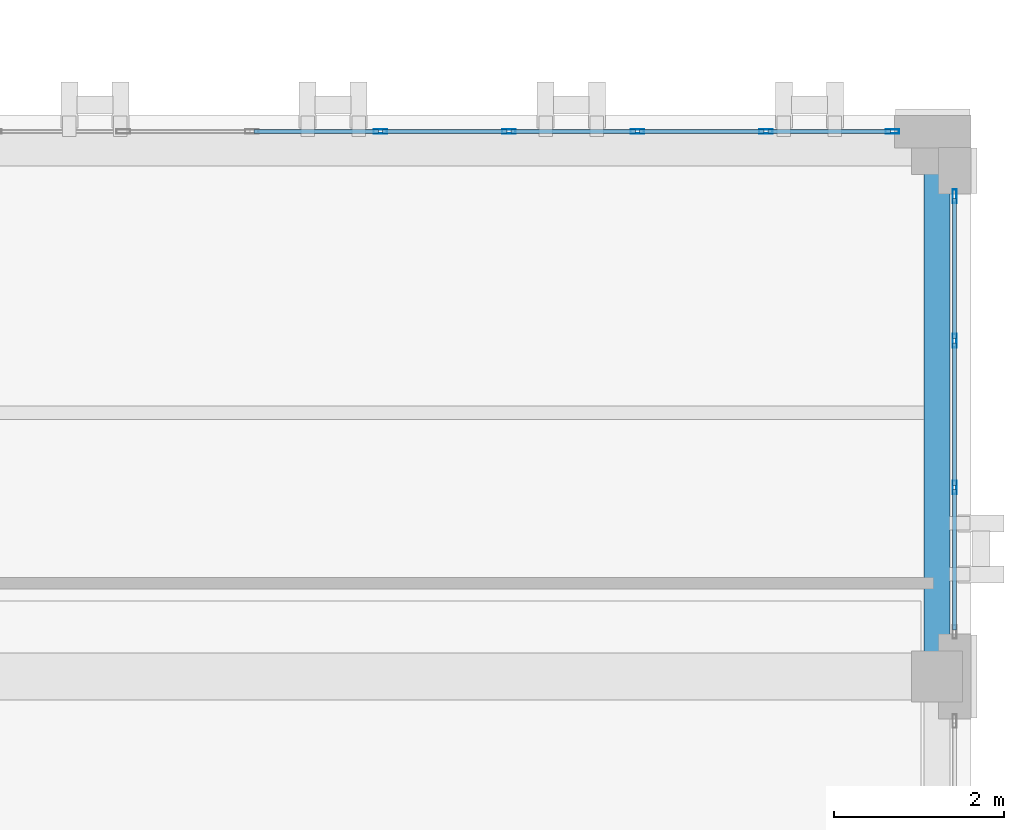
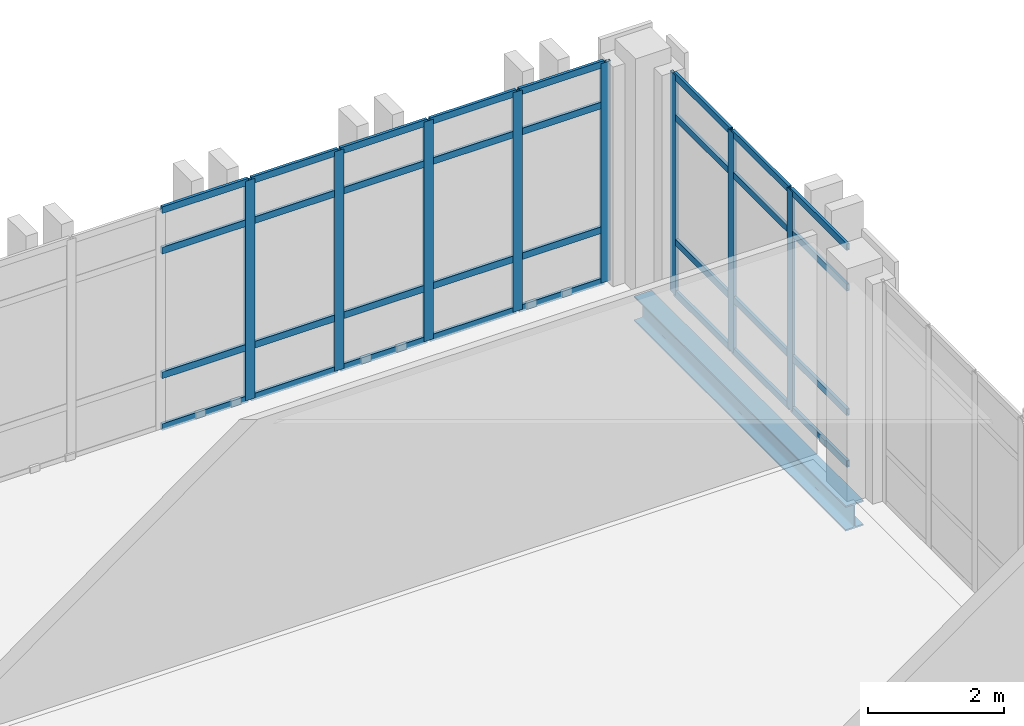
# One storey, part 57 of 90: 40 members, 1 beam, 2 elements without a shape of their own.
"""IFC4 building model written with IfcOpenShell, lengths in metres."""

from ifc_helpers import new_model, si_unit, direction, frame, origin, origin_2d, place, context, subcontext, project, spatial, hollow_rectangle, i_section, extrude, material, layer, layer_set, material_profile, profile_set, type_object, element, aggregate, save


model = new_model("IFC4")

# Units and contexts
model_context = context("Model", 3, precision=1e-05, world=origin(), true_north=direction((0.0, 1.0)))
body_context = subcontext(model_context, "Body", "Model", "MODEL_VIEW")
ifc_project = project(units=[si_unit("LENGTHUNIT", "METRE"), si_unit("AREAUNIT", "SQUARE_METRE"), si_unit("VOLUMEUNIT", "CUBIC_METRE"), si_unit("PLANEANGLEUNIT", "RADIAN"), si_unit("MASSUNIT", "GRAM", prefix="KILO")], contexts=[model_context])

# Site, building, storey
site_placement = place(None, origin())
site = spatial("IfcSite", under=ifc_project, at=site_placement, CompositionType="ELEMENT")
building_placement = place(site_placement, origin())
building = spatial("IfcBuilding", under=site, at=building_placement, Name="Qalavern Law Courts", CompositionType="ELEMENT")
storey_placement = place(building_placement, frame((0.0, 0.0, 22.800048828125)))
storey = spatial("IfcBuildingStorey", under=building, at=storey_placement, Name="L05", CompositionType="ELEMENT", Elevation=22.800048828125)

# Curtain wall, members
ifc_material_1 = material(Name="Anodised aluminium and insulated glazing", Category="aluminium")
ifc_layer = layer(ifc_material_1, 0.159912109375)
ifc_layer_set = layer_set([ifc_layer], Name="Anodised aluminium and insulated glazing")
curtain_wall_type = type_object("IfcCurtainWallType", Name="ENV-CW-CHAMB", PredefinedType="USERDEFINED", material=ifc_layer_set)
curtain_wall_1_placement = place(storey_placement, origin())
curtain_wall_1 = element("IfcCurtainWall", 1, at=curtain_wall_1_placement, inside=storey, type_object=curtain_wall_type, Name="V4 unitised curtain wall L05 east 5", ObjectType="UNITISED CURTAIN WALL", PredefinedType="USERDEFINED")
ifc_material_2 = material(Name="Anodised aluminium", Category="aluminium")
ifc_material_profile_1 = material_profile(ifc_material_2, hollow_rectangle(XDim=0.048095703125, YDim=0.159912109375, WallThickness=0.00390625, at=origin_2d()), Name="ALU MULLION 48x160")
ifc_profile_set_1 = profile_set([ifc_material_profile_1], Name="Anodised aluminium")
member_type_1 = type_object("IfcMemberType", Name="ENV-CWM-48x160", PredefinedType="MULLION", material=ifc_profile_set_1)
member_1_placement = place(storey_placement, frame((106.607421875, 81.42333984375, 0.0), z_axis=(0.0, 0.0, 1.0), x_axis=(-1.0, 0.0, 0.0)))
member_1 = element("IfcMember", 2, at=member_1_placement, type_object=member_type_1, Name="CW-04 mullion 2", PredefinedType="MULLION", context=body_context, shape_type="SweptSolid", body=[
    extrude(hollow_rectangle(XDim=0.048095703125, YDim=0.159912109375, WallThickness=0.00390625, at=origin_2d()), origin(), (0.0, 0.0, 1.0), 3.929931640625),
])
member_2_placement = place(storey_placement, frame((106.607421875, 83.146728515625, 0.0), z_axis=(0.0, 0.0, 1.0), x_axis=(-1.0, 0.0, 0.0)))
member_2 = element("IfcMember", 3, at=member_2_placement, type_object=member_type_1, Name="CW-04 mullion 3", PredefinedType="MULLION", context=body_context, shape_type="SweptSolid", body=[
    extrude(hollow_rectangle(XDim=0.048095703125, YDim=0.159912109375, WallThickness=0.00390625, at=origin_2d()), origin(), (0.0, 0.0, 1.0), 3.929931640625),
])
member_3_placement = place(storey_placement, frame((106.607421875, 84.845947265625, 0.0), z_axis=(0.0, 0.0, 1.0), x_axis=(-1.0, 0.0, 0.0)))
member_3 = element("IfcMember", 4, at=member_3_placement, type_object=member_type_1, Name="CW-04 mullion 4", PredefinedType="MULLION", context=body_context, shape_type="SweptSolid", body=[
    extrude(hollow_rectangle(XDim=0.048095703125, YDim=0.159912109375, WallThickness=0.00390625, at=origin_2d()), origin(), (0.0, 0.0, 1.0), 3.929931640625),
])

curtain_wall_2_placement = place(storey_placement, origin())
curtain_wall_2 = element("IfcCurtainWall", 5, at=curtain_wall_2_placement, inside=storey, type_object=curtain_wall_type, Name="V4 unitised curtain wall L05 north 1", ObjectType="UNITISED CURTAIN WALL", PredefinedType="USERDEFINED")
member_4_placement = place(storey_placement, frame((105.8759765625, 85.607421875, 0.0), z_axis=(0.0, 0.0, 1.0), x_axis=(0.0, -1.0, 0.0)))
member_4 = element("IfcMember", 6, at=member_4_placement, type_object=member_type_1, Name="CW-04 mullion 1", PredefinedType="MULLION", context=body_context, shape_type="SweptSolid", body=[
    extrude(hollow_rectangle(XDim=0.048095703125, YDim=0.159912109375, WallThickness=0.00390625, at=origin_2d()), origin(), (0.0, 0.0, 1.0), 3.929931640625),
])
member_5_placement = place(storey_placement, frame((104.388916015625, 85.607421875, 0.0), z_axis=(0.0, 0.0, 1.0), x_axis=(0.0, -1.0, 0.0)))
member_5 = element("IfcMember", 7, at=member_5_placement, type_object=member_type_1, Name="CW-04 mullion 2", PredefinedType="MULLION", context=body_context, shape_type="SweptSolid", body=[
    extrude(hollow_rectangle(XDim=0.048095703125, YDim=0.159912109375, WallThickness=0.00390625, at=origin_2d()), origin(), (0.0, 0.0, 1.0), 3.929931640625),
])
member_6_placement = place(storey_placement, frame((102.877685546875, 85.607421875, 0.0), z_axis=(0.0, 0.0, 1.0), x_axis=(0.0, -1.0, 0.0)))
member_6 = element("IfcMember", 8, at=member_6_placement, type_object=member_type_1, Name="CW-04 mullion 3", PredefinedType="MULLION", context=body_context, shape_type="SweptSolid", body=[
    extrude(hollow_rectangle(XDim=0.048095703125, YDim=0.159912109375, WallThickness=0.00390625, at=origin_2d()), origin(), (0.0, 0.0, 1.0), 3.929931640625),
])
member_7_placement = place(storey_placement, frame((101.36669921875, 85.607421875, 0.0), z_axis=(0.0, 0.0, 1.0), x_axis=(0.0, -1.0, 0.0)))
member_7 = element("IfcMember", 9, at=member_7_placement, type_object=member_type_1, Name="CW-04 mullion 4", PredefinedType="MULLION", context=body_context, shape_type="SweptSolid", body=[
    extrude(hollow_rectangle(XDim=0.048095703125, YDim=0.159912109375, WallThickness=0.00390625, at=origin_2d()), origin(), (0.0, 0.0, 1.0), 3.929931640625),
])
member_8_placement = place(storey_placement, frame((99.85546875, 85.607421875, 0.0), z_axis=(0.0, 0.0, 1.0), x_axis=(0.0, -1.0, 0.0)))
member_8 = element("IfcMember", 10, at=member_8_placement, type_object=member_type_1, Name="CW-04 mullion 5", PredefinedType="MULLION", context=body_context, shape_type="SweptSolid", body=[
    extrude(hollow_rectangle(XDim=0.048095703125, YDim=0.159912109375, WallThickness=0.00390625, at=origin_2d()), origin(), (0.0, 0.0, 1.0), 3.929931640625),
])

# Member
ifc_material_profile_2 = material_profile(ifc_material_2, hollow_rectangle(XDim=0.048095703125, YDim=0.1201171875, WallThickness=0.00390625, at=origin_2d()), Name="ALU TRANSOM 48x120")
ifc_profile_set_2 = profile_set([ifc_material_profile_2], Name="Anodised aluminium")
member_type_2 = type_object("IfcMemberType", Name="ENV-CWT-48x120", PredefinedType="USERDEFINED", material=ifc_profile_set_2)
member_9_placement = place(storey_placement, frame((106.607421875, 79.748046875, 0.02392578125), z_axis=(0.0, 1.0, 0.0), x_axis=(-1.0, 0.0, 0.0)))
member_9 = element("IfcMember", 11, at=member_9_placement, type_object=member_type_2, Name="CW-04 transom 1.1", ObjectType="TRANSOM", PredefinedType="USERDEFINED", context=body_context, shape_type="SweptSolid", body=[
    extrude(hollow_rectangle(XDim=0.048095703125, YDim=0.1201171875, WallThickness=0.00390625, at=origin_2d()), origin(), (0.0, 0.0, 1.0), 1.6513671875),
])

member_10_placement = place(storey_placement, frame((106.607421875, 79.748046875, 0.949951171875), z_axis=(0.0, 1.0, 0.0), x_axis=(-1.0, 0.0, 0.0)))
member_10 = element("IfcMember", 12, at=member_10_placement, type_object=member_type_2, Name="CW-04 transom 1.2", ObjectType="TRANSOM", PredefinedType="USERDEFINED", context=body_context, shape_type="SweptSolid", body=[
    extrude(hollow_rectangle(XDim=0.048095703125, YDim=0.1201171875, WallThickness=0.00390625, at=origin_2d()), origin(), (0.0, 0.0, 1.0), 1.6513671875),
])

member_11_placement = place(storey_placement, frame((106.607421875, 79.748046875, 3.179931640625), z_axis=(0.0, 1.0, 0.0), x_axis=(-1.0, 0.0, 0.0)))
member_11 = element("IfcMember", 13, at=member_11_placement, type_object=member_type_2, Name="CW-04 transom 1.3", ObjectType="TRANSOM", PredefinedType="USERDEFINED", context=body_context, shape_type="SweptSolid", body=[
    extrude(hollow_rectangle(XDim=0.048095703125, YDim=0.1201171875, WallThickness=0.00390625, at=origin_2d()), origin(), (0.0, 0.0, 1.0), 1.6513671875),
])

member_12_placement = place(storey_placement, frame((106.607421875, 79.748046875, 3.906005859375), z_axis=(0.0, 1.0, 0.0), x_axis=(-1.0, 0.0, 0.0)))
member_12 = element("IfcMember", 14, at=member_12_placement, type_object=member_type_2, Name="CW-04 transom 1.4", ObjectType="TRANSOM", PredefinedType="USERDEFINED", context=body_context, shape_type="SweptSolid", body=[
    extrude(hollow_rectangle(XDim=0.048095703125, YDim=0.1201171875, WallThickness=0.00390625, at=origin_2d()), origin(), (0.0, 0.0, 1.0), 1.6513671875),
])

member_13_placement = place(storey_placement, frame((106.607421875, 81.447265625, 0.02392578125), z_axis=(0.0, 1.0, 0.0), x_axis=(-1.0, 0.0, 0.0)))
member_13 = element("IfcMember", 15, at=member_13_placement, type_object=member_type_2, Name="CW-04 transom 2.1", ObjectType="TRANSOM", PredefinedType="USERDEFINED", context=body_context, shape_type="SweptSolid", body=[
    extrude(hollow_rectangle(XDim=0.048095703125, YDim=0.1201171875, WallThickness=0.00390625, at=origin_2d()), origin(), (0.0, 0.0, 1.0), 1.67529296875),
])

member_14_placement = place(storey_placement, frame((106.607421875, 81.447265625, 0.949951171875), z_axis=(0.0, 1.0, 0.0), x_axis=(-1.0, 0.0, 0.0)))
member_14 = element("IfcMember", 16, at=member_14_placement, type_object=member_type_2, Name="CW-04 transom 2.2", ObjectType="TRANSOM", PredefinedType="USERDEFINED", context=body_context, shape_type="SweptSolid", body=[
    extrude(hollow_rectangle(XDim=0.048095703125, YDim=0.1201171875, WallThickness=0.00390625, at=origin_2d()), origin(), (0.0, 0.0, 1.0), 1.67529296875),
])

member_15_placement = place(storey_placement, frame((106.607421875, 81.447265625, 3.179931640625), z_axis=(0.0, 1.0, 0.0), x_axis=(-1.0, 0.0, 0.0)))
member_15 = element("IfcMember", 17, at=member_15_placement, type_object=member_type_2, Name="CW-04 transom 2.3", ObjectType="TRANSOM", PredefinedType="USERDEFINED", context=body_context, shape_type="SweptSolid", body=[
    extrude(hollow_rectangle(XDim=0.048095703125, YDim=0.1201171875, WallThickness=0.00390625, at=origin_2d()), origin(), (0.0, 0.0, 1.0), 1.67529296875),
])

member_16_placement = place(storey_placement, frame((106.607421875, 81.447265625, 3.906005859375), z_axis=(0.0, 1.0, 0.0), x_axis=(-1.0, 0.0, 0.0)))
member_16 = element("IfcMember", 18, at=member_16_placement, type_object=member_type_2, Name="CW-04 transom 2.4", ObjectType="TRANSOM", PredefinedType="USERDEFINED", context=body_context, shape_type="SweptSolid", body=[
    extrude(hollow_rectangle(XDim=0.048095703125, YDim=0.1201171875, WallThickness=0.00390625, at=origin_2d()), origin(), (0.0, 0.0, 1.0), 1.67529296875),
])

member_17_placement = place(storey_placement, frame((106.607421875, 83.170654296875, 0.02392578125), z_axis=(0.0, 1.0, 0.0), x_axis=(-1.0, 0.0, 0.0)))
member_17 = element("IfcMember", 19, at=member_17_placement, type_object=member_type_2, Name="CW-04 transom 3.1", ObjectType="TRANSOM", PredefinedType="USERDEFINED", context=body_context, shape_type="SweptSolid", body=[
    extrude(hollow_rectangle(XDim=0.048095703125, YDim=0.1201171875, WallThickness=0.00390625, at=origin_2d()), origin(), (0.0, 0.0, 1.0), 1.6513671875),
])

member_18_placement = place(storey_placement, frame((106.607421875, 83.170654296875, 0.949951171875), z_axis=(0.0, 1.0, 0.0), x_axis=(-1.0, 0.0, 0.0)))
member_18 = element("IfcMember", 20, at=member_18_placement, type_object=member_type_2, Name="CW-04 transom 3.2", ObjectType="TRANSOM", PredefinedType="USERDEFINED", context=body_context, shape_type="SweptSolid", body=[
    extrude(hollow_rectangle(XDim=0.048095703125, YDim=0.1201171875, WallThickness=0.00390625, at=origin_2d()), origin(), (0.0, 0.0, 1.0), 1.6513671875),
])

member_19_placement = place(storey_placement, frame((106.607421875, 83.170654296875, 3.179931640625), z_axis=(0.0, 1.0, 0.0), x_axis=(-1.0, 0.0, 0.0)))
member_19 = element("IfcMember", 21, at=member_19_placement, type_object=member_type_2, Name="CW-04 transom 3.3", ObjectType="TRANSOM", PredefinedType="USERDEFINED", context=body_context, shape_type="SweptSolid", body=[
    extrude(hollow_rectangle(XDim=0.048095703125, YDim=0.1201171875, WallThickness=0.00390625, at=origin_2d()), origin(), (0.0, 0.0, 1.0), 1.6513671875),
])

member_20_placement = place(storey_placement, frame((106.607421875, 83.170654296875, 3.906005859375), z_axis=(0.0, 1.0, 0.0), x_axis=(-1.0, 0.0, 0.0)))
member_20 = element("IfcMember", 22, at=member_20_placement, type_object=member_type_2, Name="CW-04 transom 3.4", ObjectType="TRANSOM", PredefinedType="USERDEFINED", context=body_context, shape_type="SweptSolid", body=[
    extrude(hollow_rectangle(XDim=0.048095703125, YDim=0.1201171875, WallThickness=0.00390625, at=origin_2d()), origin(), (0.0, 0.0, 1.0), 1.6513671875),
])

aggregate(curtain_wall_1, [member_1, member_2, member_3, member_9, member_10, member_11, member_12, member_13, member_14, member_15, member_16, member_17, member_18, member_19, member_20])

member_21_placement = place(storey_placement, frame((105.85205078125, 85.607421875, 0.02392578125), z_axis=(-1.0, 0.0, 0.0), x_axis=(0.0, -1.0, 0.0)))
member_21 = element("IfcMember", 23, at=member_21_placement, type_object=member_type_2, Name="CW-04 transom 1.1", ObjectType="TRANSOM", PredefinedType="USERDEFINED", context=body_context, shape_type="SweptSolid", body=[
    extrude(hollow_rectangle(XDim=0.048095703125, YDim=0.1201171875, WallThickness=0.00390625, at=origin_2d()), origin(), (0.0, 0.0, 1.0), 1.439208984375),
])

member_22_placement = place(storey_placement, frame((105.85205078125, 85.607421875, 0.949951171875), z_axis=(-1.0, 0.0, 0.0), x_axis=(0.0, -1.0, 0.0)))
member_22 = element("IfcMember", 24, at=member_22_placement, type_object=member_type_2, Name="CW-04 transom 1.2", ObjectType="TRANSOM", PredefinedType="USERDEFINED", context=body_context, shape_type="SweptSolid", body=[
    extrude(hollow_rectangle(XDim=0.048095703125, YDim=0.1201171875, WallThickness=0.00390625, at=origin_2d()), origin(), (0.0, 0.0, 1.0), 1.439208984375),
])

member_23_placement = place(storey_placement, frame((105.85205078125, 85.607421875, 3.179931640625), z_axis=(-1.0, 0.0, 0.0), x_axis=(0.0, -1.0, 0.0)))
member_23 = element("IfcMember", 25, at=member_23_placement, type_object=member_type_2, Name="CW-04 transom 1.3", ObjectType="TRANSOM", PredefinedType="USERDEFINED", context=body_context, shape_type="SweptSolid", body=[
    extrude(hollow_rectangle(XDim=0.048095703125, YDim=0.1201171875, WallThickness=0.00390625, at=origin_2d()), origin(), (0.0, 0.0, 1.0), 1.439208984375),
])

member_24_placement = place(storey_placement, frame((105.85205078125, 85.607421875, 3.906005859375), z_axis=(-1.0, 0.0, 0.0), x_axis=(0.0, -1.0, 0.0)))
member_24 = element("IfcMember", 26, at=member_24_placement, type_object=member_type_2, Name="CW-04 transom 1.4", ObjectType="TRANSOM", PredefinedType="USERDEFINED", context=body_context, shape_type="SweptSolid", body=[
    extrude(hollow_rectangle(XDim=0.048095703125, YDim=0.1201171875, WallThickness=0.00390625, at=origin_2d()), origin(), (0.0, 0.0, 1.0), 1.439208984375),
])

member_25_placement = place(storey_placement, frame((104.364990234375, 85.607421875, 0.02392578125), z_axis=(-1.0, 0.0, 0.0), x_axis=(0.0, -1.0, 0.0)))
member_25 = element("IfcMember", 27, at=member_25_placement, type_object=member_type_2, Name="CW-04 transom 2.1", ObjectType="TRANSOM", PredefinedType="USERDEFINED", context=body_context, shape_type="SweptSolid", body=[
    extrude(hollow_rectangle(XDim=0.048095703125, YDim=0.1201171875, WallThickness=0.00390625, at=origin_2d()), origin(), (0.0, 0.0, 1.0), 1.463134765625),
])

member_26_placement = place(storey_placement, frame((104.364990234375, 85.607421875, 0.949951171875), z_axis=(-1.0, 0.0, 0.0), x_axis=(0.0, -1.0, 0.0)))
member_26 = element("IfcMember", 28, at=member_26_placement, type_object=member_type_2, Name="CW-04 transom 2.2", ObjectType="TRANSOM", PredefinedType="USERDEFINED", context=body_context, shape_type="SweptSolid", body=[
    extrude(hollow_rectangle(XDim=0.048095703125, YDim=0.1201171875, WallThickness=0.00390625, at=origin_2d()), origin(), (0.0, 0.0, 1.0), 1.463134765625),
])

member_27_placement = place(storey_placement, frame((104.364990234375, 85.607421875, 3.179931640625), z_axis=(-1.0, 0.0, 0.0), x_axis=(0.0, -1.0, 0.0)))
member_27 = element("IfcMember", 29, at=member_27_placement, type_object=member_type_2, Name="CW-04 transom 2.3", ObjectType="TRANSOM", PredefinedType="USERDEFINED", context=body_context, shape_type="SweptSolid", body=[
    extrude(hollow_rectangle(XDim=0.048095703125, YDim=0.1201171875, WallThickness=0.00390625, at=origin_2d()), origin(), (0.0, 0.0, 1.0), 1.463134765625),
])

member_28_placement = place(storey_placement, frame((104.364990234375, 85.607421875, 3.906005859375), z_axis=(-1.0, 0.0, 0.0), x_axis=(0.0, -1.0, 0.0)))
member_28 = element("IfcMember", 30, at=member_28_placement, type_object=member_type_2, Name="CW-04 transom 2.4", ObjectType="TRANSOM", PredefinedType="USERDEFINED", context=body_context, shape_type="SweptSolid", body=[
    extrude(hollow_rectangle(XDim=0.048095703125, YDim=0.1201171875, WallThickness=0.00390625, at=origin_2d()), origin(), (0.0, 0.0, 1.0), 1.463134765625),
])

member_29_placement = place(storey_placement, frame((102.853759765625, 85.607421875, 0.02392578125), z_axis=(-1.0, 0.0, 0.0), x_axis=(0.0, -1.0, 0.0)))
member_29 = element("IfcMember", 31, at=member_29_placement, type_object=member_type_2, Name="CW-04 transom 3.1", ObjectType="TRANSOM", PredefinedType="USERDEFINED", context=body_context, shape_type="SweptSolid", body=[
    extrude(hollow_rectangle(XDim=0.048095703125, YDim=0.1201171875, WallThickness=0.00390625, at=origin_2d()), origin(), (0.0, 0.0, 1.0), 1.463134765625),
])

member_30_placement = place(storey_placement, frame((102.853759765625, 85.607421875, 0.949951171875), z_axis=(-1.0, 0.0, 0.0), x_axis=(0.0, -1.0, 0.0)))
member_30 = element("IfcMember", 32, at=member_30_placement, type_object=member_type_2, Name="CW-04 transom 3.2", ObjectType="TRANSOM", PredefinedType="USERDEFINED", context=body_context, shape_type="SweptSolid", body=[
    extrude(hollow_rectangle(XDim=0.048095703125, YDim=0.1201171875, WallThickness=0.00390625, at=origin_2d()), origin(), (0.0, 0.0, 1.0), 1.463134765625),
])

member_31_placement = place(storey_placement, frame((102.853759765625, 85.607421875, 3.179931640625), z_axis=(-1.0, 0.0, 0.0), x_axis=(0.0, -1.0, 0.0)))
member_31 = element("IfcMember", 33, at=member_31_placement, type_object=member_type_2, Name="CW-04 transom 3.3", ObjectType="TRANSOM", PredefinedType="USERDEFINED", context=body_context, shape_type="SweptSolid", body=[
    extrude(hollow_rectangle(XDim=0.048095703125, YDim=0.1201171875, WallThickness=0.00390625, at=origin_2d()), origin(), (0.0, 0.0, 1.0), 1.463134765625),
])

member_32_placement = place(storey_placement, frame((102.853759765625, 85.607421875, 3.906005859375), z_axis=(-1.0, 0.0, 0.0), x_axis=(0.0, -1.0, 0.0)))
member_32 = element("IfcMember", 34, at=member_32_placement, type_object=member_type_2, Name="CW-04 transom 3.4", ObjectType="TRANSOM", PredefinedType="USERDEFINED", context=body_context, shape_type="SweptSolid", body=[
    extrude(hollow_rectangle(XDim=0.048095703125, YDim=0.1201171875, WallThickness=0.00390625, at=origin_2d()), origin(), (0.0, 0.0, 1.0), 1.463134765625),
])

member_33_placement = place(storey_placement, frame((101.3427734375, 85.607421875, 0.02392578125), z_axis=(-1.0, 0.0, 0.0), x_axis=(0.0, -1.0, 0.0)))
member_33 = element("IfcMember", 35, at=member_33_placement, type_object=member_type_2, Name="CW-04 transom 4.1", ObjectType="TRANSOM", PredefinedType="USERDEFINED", context=body_context, shape_type="SweptSolid", body=[
    extrude(hollow_rectangle(XDim=0.048095703125, YDim=0.1201171875, WallThickness=0.00390625, at=origin_2d()), origin(), (0.0, 0.0, 1.0), 1.463134765625),
])

member_34_placement = place(storey_placement, frame((101.3427734375, 85.607421875, 0.949951171875), z_axis=(-1.0, 0.0, 0.0), x_axis=(0.0, -1.0, 0.0)))
member_34 = element("IfcMember", 36, at=member_34_placement, type_object=member_type_2, Name="CW-04 transom 4.2", ObjectType="TRANSOM", PredefinedType="USERDEFINED", context=body_context, shape_type="SweptSolid", body=[
    extrude(hollow_rectangle(XDim=0.048095703125, YDim=0.1201171875, WallThickness=0.00390625, at=origin_2d()), origin(), (0.0, 0.0, 1.0), 1.463134765625),
])

member_35_placement = place(storey_placement, frame((101.3427734375, 85.607421875, 3.179931640625), z_axis=(-1.0, 0.0, 0.0), x_axis=(0.0, -1.0, 0.0)))
member_35 = element("IfcMember", 37, at=member_35_placement, type_object=member_type_2, Name="CW-04 transom 4.3", ObjectType="TRANSOM", PredefinedType="USERDEFINED", context=body_context, shape_type="SweptSolid", body=[
    extrude(hollow_rectangle(XDim=0.048095703125, YDim=0.1201171875, WallThickness=0.00390625, at=origin_2d()), origin(), (0.0, 0.0, 1.0), 1.463134765625),
])

member_36_placement = place(storey_placement, frame((101.3427734375, 85.607421875, 3.906005859375), z_axis=(-1.0, 0.0, 0.0), x_axis=(0.0, -1.0, 0.0)))
member_36 = element("IfcMember", 38, at=member_36_placement, type_object=member_type_2, Name="CW-04 transom 4.4", ObjectType="TRANSOM", PredefinedType="USERDEFINED", context=body_context, shape_type="SweptSolid", body=[
    extrude(hollow_rectangle(XDim=0.048095703125, YDim=0.1201171875, WallThickness=0.00390625, at=origin_2d()), origin(), (0.0, 0.0, 1.0), 1.463134765625),
])

member_37_placement = place(storey_placement, frame((99.83154296875, 85.607421875, 0.02392578125), z_axis=(-1.0, 0.0, 0.0), x_axis=(0.0, -1.0, 0.0)))
member_37 = element("IfcMember", 39, at=member_37_placement, type_object=member_type_2, Name="CW-04 transom 5.1", ObjectType="TRANSOM", PredefinedType="USERDEFINED", context=body_context, shape_type="SweptSolid", body=[
    extrude(hollow_rectangle(XDim=0.048095703125, YDim=0.1201171875, WallThickness=0.00390625, at=origin_2d()), origin(), (0.0, 0.0, 1.0), 1.463134765625),
])

member_38_placement = place(storey_placement, frame((99.83154296875, 85.607421875, 0.949951171875), z_axis=(-1.0, 0.0, 0.0), x_axis=(0.0, -1.0, 0.0)))
member_38 = element("IfcMember", 40, at=member_38_placement, type_object=member_type_2, Name="CW-04 transom 5.2", ObjectType="TRANSOM", PredefinedType="USERDEFINED", context=body_context, shape_type="SweptSolid", body=[
    extrude(hollow_rectangle(XDim=0.048095703125, YDim=0.1201171875, WallThickness=0.00390625, at=origin_2d()), origin(), (0.0, 0.0, 1.0), 1.463134765625),
])

member_39_placement = place(storey_placement, frame((99.83154296875, 85.607421875, 3.179931640625), z_axis=(-1.0, 0.0, 0.0), x_axis=(0.0, -1.0, 0.0)))
member_39 = element("IfcMember", 41, at=member_39_placement, type_object=member_type_2, Name="CW-04 transom 5.3", ObjectType="TRANSOM", PredefinedType="USERDEFINED", context=body_context, shape_type="SweptSolid", body=[
    extrude(hollow_rectangle(XDim=0.048095703125, YDim=0.1201171875, WallThickness=0.00390625, at=origin_2d()), origin(), (0.0, 0.0, 1.0), 1.463134765625),
])

member_40_placement = place(storey_placement, frame((99.83154296875, 85.607421875, 3.906005859375), z_axis=(-1.0, 0.0, 0.0), x_axis=(0.0, -1.0, 0.0)))
member_40 = element("IfcMember", 42, at=member_40_placement, type_object=member_type_2, Name="CW-04 transom 5.4", ObjectType="TRANSOM", PredefinedType="USERDEFINED", context=body_context, shape_type="SweptSolid", body=[
    extrude(hollow_rectangle(XDim=0.048095703125, YDim=0.1201171875, WallThickness=0.00390625, at=origin_2d()), origin(), (0.0, 0.0, 1.0), 1.463134765625),
])

aggregate(curtain_wall_2, [member_4, member_5, member_6, member_7, member_8, member_21, member_22, member_23, member_24, member_25, member_26, member_27, member_28, member_29, member_30, member_31, member_32, member_33, member_34, member_35, member_36, member_37, member_38, member_39, member_40])

# Beam
ifc_material_3 = material(Name="Steel S355", Category="steel")
ifc_material_profile_3 = material_profile(ifc_material_3, i_section(OverallWidth=0.300048828125, OverallDepth=0.449951171875, WebThickness=0.013916015625, FlangeThickness=0.02587890625, FilletRadius=0.027099609375, at=origin_2d()), Name="HEB 450")
ifc_profile_set_3 = profile_set([ifc_material_profile_3], Name="Steel S355")
beam_type = type_object("IfcBeamType", Name="STR-SP-HEB450", PredefinedType="SPANDREL", material=ifc_profile_set_3)
beam_placement = place(storey_placement, frame((106.39990234375, 79.199951171875, -0.5), z_axis=(0.0, 1.0, 0.0), x_axis=(-1.0, 0.0, 0.0)))
element("IfcBeam", 43, at=beam_placement, inside=storey, type_object=beam_type, Name="V4 Y-beam 3-6 L05", PredefinedType="SPANDREL", context=body_context, shape_type="SweptSolid", body=[
    extrude(i_section(OverallWidth=0.300048828125, OverallDepth=0.449951171875, WebThickness=0.013916015625, FlangeThickness=0.02587890625, FilletRadius=0.027099609375, at=origin_2d()), origin(), (0.0, 0.0, 1.0), 6.199951171875),
])

save(model, "model.ifc")
